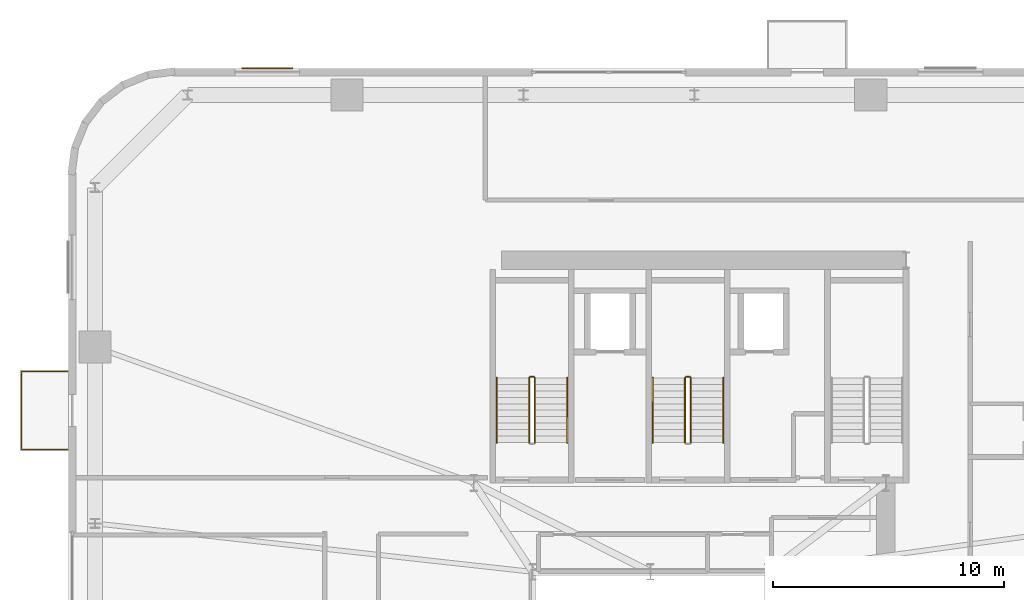
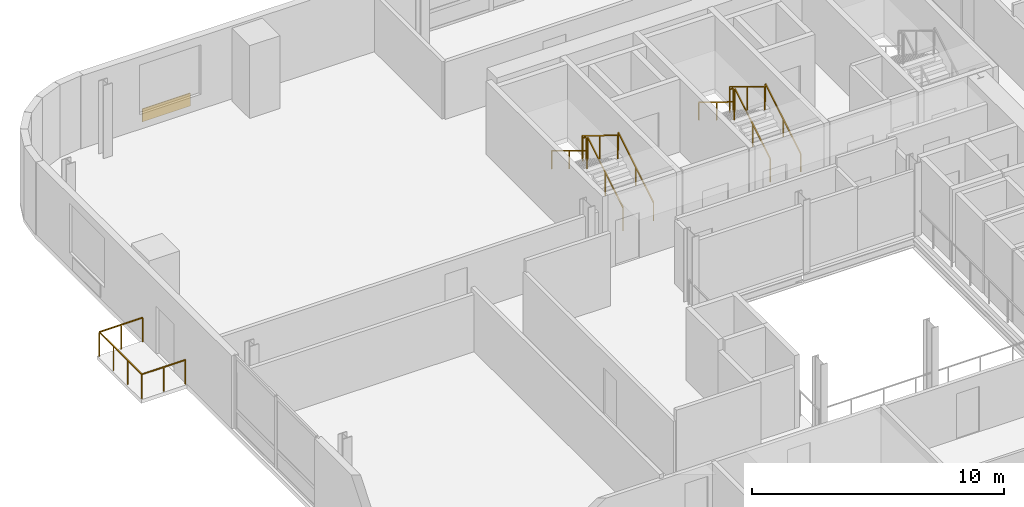
# One storey, part 15 of 16: 11 railings, 1 covering.
"""IFC4 building model written with IfcOpenShell, lengths in metres."""

from ifc_helpers import new_model, si_unit, direction, frame, origin, origin_2d, place, context, subcontext, project, spatial, rectangle, extrude, source, transform, mapped, material, layer, layer_set, type_object, element, save


model = new_model("IFC4")

# Units and contexts
model_context = context("Model", 3, precision=1e-05, world=origin(), true_north=direction((0.0, 1.0)))
body_context = subcontext(model_context, "Body", "Model", "MODEL_VIEW")
ifc_project = project(units=[si_unit("LENGTHUNIT", "METRE"), si_unit("AREAUNIT", "SQUARE_METRE"), si_unit("VOLUMEUNIT", "CUBIC_METRE"), si_unit("PLANEANGLEUNIT", "RADIAN"), si_unit("MASSUNIT", "GRAM", prefix="KILO")], contexts=[model_context])

# Site, building, storey
site_placement = place(None, origin())
site = spatial("IfcSite", under=ifc_project, at=site_placement, CompositionType="ELEMENT")
building_placement = place(site_placement, origin())
building = spatial("IfcBuilding", under=site, at=building_placement, Name="Vardaveli Station Tower", CompositionType="ELEMENT")
storey_placement = place(building_placement, frame((0.0, 0.0, 188.550048828125)))
storey = spatial("IfcBuildingStorey", under=building, at=storey_placement, Name="L48", CompositionType="ELEMENT", Elevation=188.550048828125)

# Covering
ifc_material_1 = material(Name="Ventilated honed travertine stone cladding", Category="masonry")
ifc_layer = layer(ifc_material_1, 0.044921875, Name="Ventilated honed travertine stone cladding")
ifc_layer_set = layer_set([ifc_layer], Name="Ventilated honed travertine stone cladding")
covering_type = type_object("IfcCoveringType", Name="COV-CLAD-TR45", PredefinedType="CLADDING", material=ifc_layer_set)
shared_shape_1 = source(origin(), body_context, "Body", "SweptSolid", [
    extrude(rectangle(XDim=2.199951171875, YDim=0.044921875, at=origin_2d()), origin(), (0.0, 0.0, 1.0), 0.6201171875),
])
covering_placement = place(storey_placement, frame((19.705078125, 48.614501953125, 0.06982421875), z_axis=(0.0, 0.0, 1.0), x_axis=(1.0, 0.0, 0.0)))
element("IfcCovering", 1, at=covering_placement, inside=storey, type_object=covering_type, Name="CLD-TR-L48-N", PredefinedType="CLADDING", context=body_context, shape_type="MappedRepresentation", body=[
    mapped(shared_shape_1, transform((0.0, 0.0, 0.0), scale=1.0)),
])

# Railings
ifc_material_2 = material(Name="Laminated glass and stainless steel balustrade", Category="steel")
railing_type_1 = type_object("IfcRailingType", Name="RL-BAL-1200", PredefinedType="BALUSTRADE", material=ifc_material_2)
shared_shape_2 = source(origin(), body_context, "Body", "SweptSolid", [
    extrude(rectangle(XDim=0.048095703125, YDim=0.048095703125, at=origin_2d()), frame((0.0, 0.0, 1.17578125), z_axis=(-1.0, 0.0, 0.0), x_axis=(0.0, -1.0, 0.0)), (0.0, 0.0, 1.0), 2.0),
    extrude(rectangle(XDim=0.048095703125, YDim=0.048095703125, at=origin_2d()), frame((-2.0, 0.0, 1.17578125), z_axis=(0.0, 1.0, 0.0), x_axis=(-1.0, 0.0, 0.0)), (0.0, 0.0, 1.0), 3.3798828125),
    extrude(rectangle(XDim=0.048095703125, YDim=0.048095703125, at=origin_2d()), frame((-2.0, 3.3798828125, 1.17578125), z_axis=(1.0, 0.0, 0.0), x_axis=(0.0, 1.0, 0.0)), (0.0, 0.0, 1.0), 2.0),
    extrude(rectangle(XDim=0.0419921875, YDim=0.0419921875, at=origin_2d()), origin(), (0.0, 0.0, 1.0), 1.15185546875),
    extrude(rectangle(XDim=0.0419921875, YDim=0.0419921875, at=origin_2d()), frame((-1.0, 0.0, 0.0)), (0.0, 0.0, 1.0), 1.15185546875),
    extrude(rectangle(XDim=0.0419921875, YDim=0.0419921875, at=origin_2d()), frame((-2.0, 0.0, 0.0)), (0.0, 0.0, 1.0), 1.15185546875),
    extrude(rectangle(XDim=0.0419921875, YDim=0.0419921875, at=origin_2d()), frame((-2.0, 1.126708984375, 0.0)), (0.0, 0.0, 1.0), 1.15185546875),
    extrude(rectangle(XDim=0.0419921875, YDim=0.0419921875, at=origin_2d()), frame((-2.0, 2.253173828125, 0.0)), (0.0, 0.0, 1.0), 1.15185546875),
    extrude(rectangle(XDim=0.0419921875, YDim=0.0419921875, at=origin_2d()), frame((-2.0, 3.3798828125, 0.0)), (0.0, 0.0, 1.0), 1.15185546875),
    extrude(rectangle(XDim=0.0419921875, YDim=0.0419921875, at=origin_2d()), frame((-1.0, 3.3798828125, 0.0)), (0.0, 0.0, 1.0), 1.15185546875),
    extrude(rectangle(XDim=0.0419921875, YDim=0.0419921875, at=origin_2d()), frame((0.0, 3.3798828125, 0.0)), (0.0, 0.0, 1.0), 1.15185546875),
])
railing_placement = place(storey_placement, frame((11.06005859375, 32.099609375, 0.0)))
element("IfcRailing", 2, at=railing_placement, inside=storey, type_object=railing_type_1, Name="RL-LOG-L48-03", PredefinedType="BALUSTRADE", context=body_context, shape_type="MappedRepresentation", body=[
    mapped(shared_shape_2, transform((0.0, 0.0, 0.0), scale=1.0)),
])
ifc_material_3 = material(Name="Brushed AISI 316 stainless steel", Category="steel")
railing_type_2 = type_object("IfcRailingType", Name="RL-GUARD-1150", PredefinedType="GUARDRAIL", material=ifc_material_3)
shared_shape_3 = source(origin(), body_context, "Body", "SweptSolid", [
    extrude(rectangle(XDim=0.048095703125, YDim=0.048095703125, at=origin_2d()), frame((0.0, 0.0, 1.1259765625), z_axis=(-1.0, 0.0, 0.0), x_axis=(0.0, -1.0, 0.0)), (0.0, 0.0, 1.0), 0.14990234375),
    extrude(rectangle(XDim=0.0419921875, YDim=0.0419921875, at=origin_2d()), origin(), (0.0, 0.0, 1.0), 1.101806640625),
    extrude(rectangle(XDim=0.0419921875, YDim=0.0419921875, at=origin_2d()), frame((-0.14990234375, 0.0, 0.0)), (0.0, 0.0, 1.0), 1.101806640625),
])
for number, where, name in (
    (3, (31.25, 35.25, 1.875), "L48 ST-1 stair guard 2"),
    (4, (38.0, 35.25, 1.875), "L48 ST-2 stair guard 2"),
):
    element("IfcRailing", number, at=place(storey_placement, frame(where)), inside=storey, type_object=railing_type_2, Name=name, PredefinedType="GUARDRAIL", context=body_context, shape_type="MappedRepresentation", body=[
        mapped(shared_shape_3, transform((0.0, 0.0, 0.0), scale=1.0)),
    ])
shared_shape_4 = source(origin(), body_context, "Body", "SweptSolid", [
    extrude(rectangle(XDim=0.048095703125, YDim=0.048095703125, at=origin_2d()), frame((0.0, 0.0, 1.1259765625), z_axis=(0.0, 0.854169791009, 0.51999420009), x_axis=(-1.0, 0.0, 0.0)), (0.0, 0.0, 1.0), 3.278076171875),
    extrude(rectangle(XDim=0.0419921875, YDim=0.0419921875, at=origin_2d()), origin(), (0.0, 0.0, 1.0), 1.101806640625),
    extrude(rectangle(XDim=0.0419921875, YDim=0.0419921875, at=origin_2d()), frame((0.0, 1.39990234375, 0.852294921875)), (0.0, 0.0, 1.0), 1.101806640625),
    extrude(rectangle(XDim=0.0419921875, YDim=0.0419921875, at=origin_2d()), frame((0.0, 2.800048828125, 1.70458984375)), (0.0, 0.0, 1.0), 1.101806640625),
])
for number, where, name in (
    (5, (31.300048828125, 32.39990234375, 0.17041015625), "L48 ST-1 stair guard 1"),
    (6, (38.050048828125, 32.39990234375, 0.17041015625), "L48 ST-2 stair guard 1"),
):
    element("IfcRailing", number, at=place(storey_placement, frame(where)), inside=storey, type_object=railing_type_2, Name=name, PredefinedType="GUARDRAIL", context=body_context, shape_type="MappedRepresentation", body=[
        mapped(shared_shape_4, transform((0.0, 0.0, 0.0), scale=1.0)),
    ])
shared_shape_5 = source(origin(), body_context, "Body", "SweptSolid", [
    extrude(rectangle(XDim=0.048095703125, YDim=0.048095703125, at=origin_2d()), frame((0.0, 0.0, 1.1259765625), z_axis=(0.0, -0.854169791009, 0.51999420009), x_axis=(1.0, 0.0, 0.0)), (0.0, 0.0, 1.0), 3.278076171875),
    extrude(rectangle(XDim=0.0419921875, YDim=0.0419921875, at=origin_2d()), origin(), (0.0, 0.0, 1.0), 1.101806640625),
    extrude(rectangle(XDim=0.0419921875, YDim=0.0419921875, at=origin_2d()), frame((0.0, -1.39990234375, 0.852294921875)), (0.0, 0.0, 1.0), 1.101806640625),
    extrude(rectangle(XDim=0.0419921875, YDim=0.0419921875, at=origin_2d()), frame((0.0, -2.800048828125, 1.70458984375)), (0.0, 0.0, 1.0), 1.101806640625),
])
for number, where, name in (
    (7, (31.050048828125, 35.199951171875, 2.04541015625), "L48 ST-1 stair guard 3"),
    (8, (37.800048828125, 35.199951171875, 2.04541015625), "L48 ST-2 stair guard 3"),
):
    element("IfcRailing", number, at=place(storey_placement, frame(where)), inside=storey, type_object=railing_type_2, Name=name, PredefinedType="GUARDRAIL", context=body_context, shape_type="MappedRepresentation", body=[
        mapped(shared_shape_5, transform((0.0, 0.0, 0.0), scale=1.0)),
    ])
railing_type_3 = type_object("IfcRailingType", Name="RL-HAND-900", PredefinedType="HANDRAIL", material=ifc_material_3)
shared_shape_6 = source(origin(), body_context, "Body", "SweptSolid", [
    extrude(rectangle(XDim=0.048095703125, YDim=0.048095703125, at=origin_2d()), frame((0.0, 0.0, 0.8759765625), z_axis=(0.0, 0.854169791009, 0.51999420009), x_axis=(-1.0, 0.0, 0.0)), (0.0, 0.0, 1.0), 3.278076171875),
    extrude(rectangle(XDim=0.0419921875, YDim=0.0419921875, at=origin_2d()), origin(), (0.0, 0.0, 1.0), 0.851806640625),
    extrude(rectangle(XDim=0.0419921875, YDim=0.0419921875, at=origin_2d()), frame((0.0, 1.39990234375, 0.852294921875)), (0.0, 0.0, 1.0), 0.851806640625),
    extrude(rectangle(XDim=0.0419921875, YDim=0.0419921875, at=origin_2d()), frame((0.0, 2.800048828125, 1.70458984375)), (0.0, 0.0, 1.0), 0.851806640625),
])
for number, where, name in (
    (9, (32.699951171875, 32.39990234375, 0.17041015625), "L48 ST-1 stair handrail 1"),
    (10, (39.449951171875, 32.39990234375, 0.17041015625), "L48 ST-2 stair handrail 1"),
):
    element("IfcRailing", number, at=place(storey_placement, frame(where)), inside=storey, type_object=railing_type_3, Name=name, PredefinedType="HANDRAIL", context=body_context, shape_type="MappedRepresentation", body=[
        mapped(shared_shape_6, transform((0.0, 0.0, 0.0), scale=1.0)),
    ])
shared_shape_7 = source(origin(), body_context, "Body", "SweptSolid", [
    extrude(rectangle(XDim=0.048095703125, YDim=0.048095703125, at=origin_2d()), frame((0.0, 0.0, 0.8759765625), z_axis=(0.0, -0.854169791009, 0.51999420009), x_axis=(1.0, 0.0, 0.0)), (0.0, 0.0, 1.0), 3.278076171875),
    extrude(rectangle(XDim=0.0419921875, YDim=0.0419921875, at=origin_2d()), origin(), (0.0, 0.0, 1.0), 0.851806640625),
    extrude(rectangle(XDim=0.0419921875, YDim=0.0419921875, at=origin_2d()), frame((0.0, -1.39990234375, 0.852294921875)), (0.0, 0.0, 1.0), 0.851806640625),
    extrude(rectangle(XDim=0.0419921875, YDim=0.0419921875, at=origin_2d()), frame((0.0, -2.800048828125, 1.70458984375)), (0.0, 0.0, 1.0), 0.851806640625),
])
for number, where, name in (
    (11, (29.64990234375, 35.199951171875, 2.04541015625), "L48 ST-1 stair handrail 2"),
    (12, (36.39990234375, 35.199951171875, 2.04541015625), "L48 ST-2 stair handrail 2"),
):
    element("IfcRailing", number, at=place(storey_placement, frame(where)), inside=storey, type_object=railing_type_3, Name=name, PredefinedType="HANDRAIL", context=body_context, shape_type="MappedRepresentation", body=[
        mapped(shared_shape_7, transform((0.0, 0.0, 0.0), scale=1.0)),
    ])

save(model, "model.ifc")
